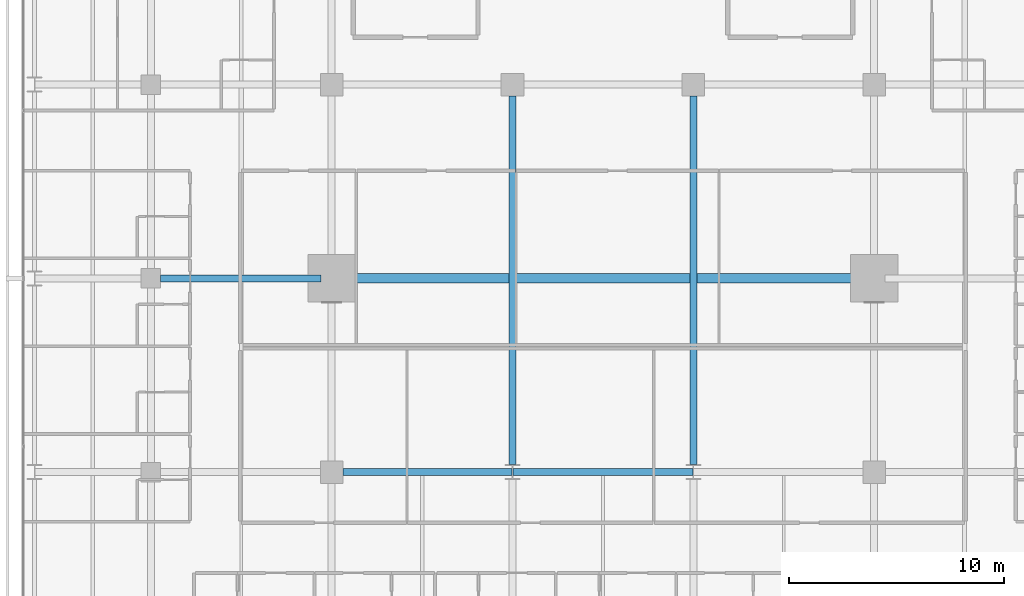
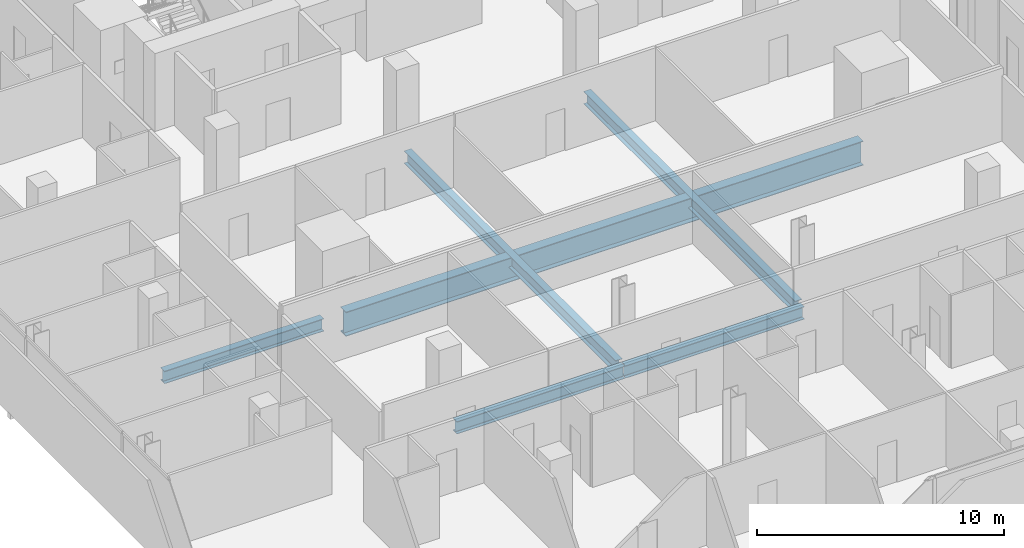
# One storey, part 13 of 40: 6 beams.
"""IFC4 building model written with IfcOpenShell, lengths in metres."""

import ifcopenshell
import ifcopenshell.guid

model = None  # the IFC model being written
_history = None  # IfcOwnerHistory: only IFC2X3 demands one
_inside = {}  # id of a spatial element -> (the spatial element, [elements in it])
_under = {}  # id of a project, library or spatial element -> (it, [spatial elements below it])
_declared = {}  # id of a project -> (the project, [libraries it declares])
_typed = {}  # id of a type object -> (the type object, [elements of that type])
_made_of = {}  # id of a material, layer set ... -> (it, [elements and type objects made of it])


def new_model(schema):
    """Start an empty IFC model of exactly this schema.

    Asked for "IFC4X3", IfcOpenShell would pick the latest addendum, in which some entities
    have other attributes; the version numbers below select the first issue.
    IFC2X3 requires an IfcOwnerHistory on every rooted entity: one is made here for all.
    """
    global model, _history
    if schema == "IFC4X3":
        model = ifcopenshell.file(schema_version=(4, 3, 0, 0))
    else:
        model = ifcopenshell.file(schema=schema)
    _inside.clear()
    _under.clear()
    _declared.clear()
    _typed.clear()
    _made_of.clear()
    _history = None
    if model.schema == "IFC2X3":
        org = make("IfcOrganization", Name="unknown")
        user = make(
            "IfcPersonAndOrganization",
            ThePerson=make("IfcPerson", FamilyName="unknown"),
            TheOrganization=org,
        )
        app = make(
            "IfcApplication",
            ApplicationDeveloper=org,
            Version="unknown",
            ApplicationFullName="unknown",
            ApplicationIdentifier="unknown",
        )
        _history = make(
            "IfcOwnerHistory",
            OwningUser=user,
            OwningApplication=app,
            ChangeAction="ADDED",
            CreationDate=0,
        )
    return model


def make(cls, **values):
    """One entity of the class cls with the attributes given. An attribute that is None is left unset."""
    return model.create_entity(
        cls, **{name: value for name, value in values.items() if value is not None}
    )


def rooted(cls, **values):
    """An entity with a GlobalId (a new one), such as an element, a storey or a relation."""
    return make(cls, GlobalId=ifcopenshell.guid.new(), OwnerHistory=_history, **values)


def si_unit(unit_type, name, prefix=None):
    """IfcSIUnit, for example si_unit("LENGTHUNIT", "METRE", prefix="MILLI")."""
    return make("IfcSIUnit", UnitType=unit_type, Prefix=prefix, Name=name)


def assignment(units):
    """IfcUnitAssignment: the units of a project."""
    return None if units is None else make("IfcUnitAssignment", Units=units)


def point(xyz):
    """IfcCartesianPoint."""
    return None if xyz is None else make("IfcCartesianPoint", Coordinates=xyz)


def direction(xyz):
    """IfcDirection."""
    return None if xyz is None else make("IfcDirection", DirectionRatios=xyz)


def frame(location, z_axis=None, x_axis=None):
    """IfcAxis2Placement3D, a coordinate frame: its origin and axes. An axis left out is left unset."""
    return make(
        "IfcAxis2Placement3D",
        Location=point(location),
        Axis=direction(z_axis),
        RefDirection=direction(x_axis),
    )


def frame_2d(location, x_axis=None):
    """IfcAxis2Placement2D, a coordinate frame in the plane: its origin and x axis."""
    return make(
        "IfcAxis2Placement2D", Location=point(location), RefDirection=direction(x_axis)
    )


def origin():
    """The frame at (0, 0, 0) with its axes left unset."""
    return frame((0.0, 0.0, 0.0))


def origin_2d():
    """The frame at (0, 0) in the plane with its x axis left unset."""
    return frame_2d((0.0, 0.0))


def place(relative_to, where):
    """IfcLocalPlacement: puts the frame where relative to a parent placement (None: the world)."""
    return make(
        "IfcLocalPlacement", PlacementRelTo=relative_to, RelativePlacement=where
    )


def context(
    kind, dimensions, precision=None, world=None, true_north=None, identifier=None
):
    """IfcGeometricRepresentationContext, for example the 3D "Model" context."""
    return make(
        "IfcGeometricRepresentationContext",
        ContextIdentifier=identifier,
        ContextType=kind,
        CoordinateSpaceDimension=dimensions,
        Precision=precision,
        WorldCoordinateSystem=world,
        TrueNorth=true_north,
    )


def subcontext(parent, identifier, kind, view, scale=None):
    """IfcGeometricRepresentationSubContext, for example "Body" below "Model"."""
    return make(
        "IfcGeometricRepresentationSubContext",
        ContextIdentifier=identifier,
        ContextType=kind,
        ParentContext=parent,
        TargetScale=scale,
        TargetView=view,
    )


def project(units=None, contexts=None):
    """IfcProject with its units and contexts."""
    return rooted(
        "IfcProject",
        Name="project",
        RepresentationContexts=contexts,
        UnitsInContext=assignment(units),
    )


def spatial(cls, under=None, at=None, **own):
    """A site, building, storey or space (cls), placed at a placement, below another one or the project."""
    s = rooted(cls, ObjectPlacement=at, **own)
    if under is not None:
        _under.setdefault(under.id(), (under, []))[1].append(s)
    return s


def profile(cls, at=None, kind="AREA", **sizes):
    """A parametric profile (cls). Its sizes go by their IFC names, for example OverallWidth=200.0."""
    return make(cls, ProfileType=kind, Position=at, **sizes)


def i_section(**sizes):
    """IfcIShapeProfileDef."""
    return profile("IfcIShapeProfileDef", **sizes)


def extrude(swept, where, along, depth):
    """IfcExtrudedAreaSolid: the profile swept, set in the frame where, extruded along a direction by depth."""
    return make(
        "IfcExtrudedAreaSolid",
        SweptArea=swept,
        Position=where,
        ExtrudedDirection=direction(along),
        Depth=depth,
    )


def shape(context_of_items, identifier, shape_type, items):
    """IfcShapeRepresentation: the items that make up one representation, for example the "Body"."""
    return make(
        "IfcShapeRepresentation",
        ContextOfItems=context_of_items,
        RepresentationIdentifier=identifier,
        RepresentationType=shape_type,
        Items=items,
    )


def material(Name=None, Category=None):
    """IfcMaterial."""
    return make("IfcMaterial", Name=Name, Category=Category)


def material_profile(
    of_material, cross_section, Name=None, Category=None, Priority=None
):
    """IfcMaterialProfile: a cross section and its material."""
    return make(
        "IfcMaterialProfile",
        Name=Name,
        Material=of_material,
        Profile=cross_section,
        Priority=Priority,
        Category=Category,
    )


def profile_set(profiles, Name=None, composite=None):
    """IfcMaterialProfileSet."""
    return make(
        "IfcMaterialProfileSet",
        Name=Name,
        MaterialProfiles=profiles,
        CompositeProfile=composite,
    )


def made_of(thing, what):
    """Note that an element or type object is made of a material, layer set ...; save() writes the relation."""
    if what is not None:
        _made_of.setdefault(what.id(), (what, []))[1].append(thing)
    return thing


def type_object(cls, material=None, **own):
    """A type object (cls), such as IfcWallType, which elements share."""
    return made_of(rooted(cls, **own), material)


def element(
    cls,
    number,
    at=None,
    inside=None,
    cuts=None,
    type_object=None,
    material=None,
    context=None,
    identifier="Body",
    shape_type=None,
    held_by="IfcProductDefinitionShape",
    body=None,
    shapes=None,
    **own,
):
    """One element of the class cls, such as IfcWall. Its Tag is "e" and its number.

    at: its placement. inside: the storey or other place that contains it. cuts: it is an
    opening in that element (IfcRelVoidsElement). A single representation is given by context,
    identifier, shape_type and body (its items); several are given by shapes. held_by: the class
    of the entity that holds the representations. save() writes the other relations.
    """
    e = rooted(cls, Tag="e%d" % number, ObjectPlacement=at, **own)
    if body is not None:
        shapes = [shape(context, identifier, shape_type, body)]
    if shapes is not None:
        e.Representation = make(held_by, Representations=shapes)
    if inside is not None:
        _inside.setdefault(inside.id(), (inside, []))[1].append(e)
    if cuts is not None:
        rooted(
            "IfcRelVoidsElement", RelatingBuildingElement=cuts, RelatedOpeningElement=e
        )
    if type_object is not None:
        _typed.setdefault(type_object.id(), (type_object, []))[1].append(e)
    return made_of(e, material)


def aggregate(whole, parts):
    """IfcRelAggregates: a whole, such as a stair, and the parts it consists of."""
    return rooted("IfcRelAggregates", RelatingObject=whole, RelatedObjects=parts)


def save(model, path):
    """Write the relations noted so far, then the file.

    IfcRelAggregates (storeys below a building ...), IfcRelContainedInSpatialStructure (elements
    in a storey), IfcRelDefinesByType, IfcRelAssociatesMaterial and IfcRelDeclares: one each for
    every whole, place, type object, material and project.
    """
    for whole, parts in _under.values():
        aggregate(whole, parts)
    for where, things in _inside.values():
        rooted(
            "IfcRelContainedInSpatialStructure",
            RelatedElements=things,
            RelatingStructure=where,
        )
    for kind, things in _typed.values():
        rooted("IfcRelDefinesByType", RelatedObjects=things, RelatingType=kind)
    for what, things in _made_of.values():
        rooted("IfcRelAssociatesMaterial", RelatedObjects=things, RelatingMaterial=what)
    for by, libraries in _declared.values():
        rooted("IfcRelDeclares", RelatingContext=by, RelatedDefinitions=libraries)
    model.write(path)


model = new_model("IFC4")

# Units and contexts
model_context = context("Model", 3, precision=1e-05, world=origin(), true_north=direction((0.0, 1.0)))
body_context = subcontext(model_context, "Body", "Model", "MODEL_VIEW")
ifc_project = project(units=[si_unit("LENGTHUNIT", "METRE"), si_unit("AREAUNIT", "SQUARE_METRE"), si_unit("VOLUMEUNIT", "CUBIC_METRE"), si_unit("PLANEANGLEUNIT", "RADIAN"), si_unit("MASSUNIT", "GRAM", prefix="KILO")], contexts=[model_context])

# Site, building, storey
site_placement = place(None, origin())
site = spatial("IfcSite", under=ifc_project, at=site_placement, CompositionType="ELEMENT")
building_placement = place(site_placement, origin())
building = spatial("IfcBuilding", under=site, at=building_placement, Name="Maruvema Waterfront Hotel and Observation Tower", CompositionType="ELEMENT")
storey_placement = place(building_placement, frame((0.0, 0.0, 57.75)))
storey = spatial("IfcBuildingStorey", under=building, at=storey_placement, Name="L13", CompositionType="ELEMENT", Elevation=57.75)

# Beams
ifc_material_1 = material(Name="Steel ASTM A572 Grade 50", Category="steel")
ifc_material_profile_1 = material_profile(ifc_material_1, i_section(OverallWidth=0.326904296875, OverallDepth=0.6220703125, WebThickness=0.015380859375, FlangeThickness=0.0244140625, FilletRadius=0.01806640625, at=origin_2d()), Name="W610x195.0")
ifc_profile_set_1 = profile_set([ifc_material_profile_1], Name="Steel ASTM A572 Grade 50")
beam_type_1 = type_object("IfcBeamType", Name="Primary Floor Girder W610x195.0", PredefinedType="BEAM", material=ifc_profile_set_1)
beam_1_placement = place(storey_placement, frame((25.72509765625, 18.0, -0.551025390625), z_axis=(1.0, 0.0, 0.0), x_axis=(0.0, 1.0, 0.0)))
element("IfcBeam", 1, at=beam_1_placement, inside=storey, type_object=beam_type_1, Name="L13 Floor Girder EW-15", PredefinedType="BEAM", context=body_context, shape_type="SweptSolid", body=[
    extrude(i_section(OverallWidth=0.326904296875, OverallDepth=0.6220703125, WebThickness=0.015380859375, FlangeThickness=0.0244140625, FilletRadius=0.01806640625, at=origin_2d()), origin(), (0.0, 0.0, 1.0), 7.86083984375),
])
beam_2_placement = place(storey_placement, frame((33.614013671875, 18.0, -0.551025390625), z_axis=(1.0, 0.0, 0.0), x_axis=(0.0, 1.0, 0.0)))
element("IfcBeam", 2, at=beam_2_placement, inside=storey, type_object=beam_type_1, Name="L13 Floor Girder EW-16", PredefinedType="BEAM", context=body_context, shape_type="SweptSolid", body=[
    extrude(i_section(OverallWidth=0.326904296875, OverallDepth=0.6220703125, WebThickness=0.015380859375, FlangeThickness=0.0244140625, FilletRadius=0.01806640625, at=origin_2d()), origin(), (0.0, 0.0, 1.0), 8.3720703125),
])
beam_3_placement = place(storey_placement, frame((17.25, 27.0, -0.551025390625), z_axis=(1.0, 0.0, 0.0), x_axis=(0.0, 1.0, 0.0)))
element("IfcBeam", 3, at=beam_3_placement, inside=storey, type_object=beam_type_1, Name="L13 Floor Girder EW-21", PredefinedType="BEAM", context=body_context, shape_type="SweptSolid", body=[
    extrude(i_section(OverallWidth=0.326904296875, OverallDepth=0.6220703125, WebThickness=0.015380859375, FlangeThickness=0.0244140625, FilletRadius=0.01806640625, at=origin_2d()), origin(), (0.0, 0.0, 1.0), 7.449951171875),
])
for number, where, z_axis, x_axis, name in (
    (4, (33.60009765625, 18.35009765625, -0.551025390625), (0.0, 1.0, 0.0), (-1.0, 0.0, 0.0), "L13 Floor Girder NS-18"),
    (5, (42.0, 18.35009765625, -0.551025390625), (0.0, 1.0, 0.0), (-1.0, 0.0, 0.0), "L13 Floor Girder NS-21"),
):
    element("IfcBeam", number, at=place(storey_placement, frame(where, z_axis=z_axis, x_axis=x_axis)), inside=storey, type_object=beam_type_1, Name=name, PredefinedType="BEAM", context=body_context, shape_type="SweptSolid", body=[
        extrude(i_section(OverallWidth=0.326904296875, OverallDepth=0.6220703125, WebThickness=0.015380859375, FlangeThickness=0.0244140625, FilletRadius=0.01806640625, at=origin_2d()), origin(), (0.0, 0.0, 1.0), 17.125),
    ])
ifc_material_2 = material(Name="Steel ABNT NBR 7007 AR 415 (ASTM A572 Grade 50)", Category="steel")
ifc_material_profile_2 = material_profile(ifc_material_2, i_section(OverallWidth=0.449951171875, OverallDepth=1.199951171875, WebThickness=0.01904296875, FlangeThickness=0.031982421875, at=origin_2d()), Name="VS1200x366")
ifc_profile_set_2 = profile_set([ifc_material_profile_2], Name="Steel ABNT NBR 7007 AR 415 (ASTM A572 Grade 50)")
beam_type_2 = type_object("IfcBeamType", Name="Upper Setback Transfer Girder VS1200x366", PredefinedType="USERDEFINED", material=ifc_profile_set_2)
beam_4_placement = place(storey_placement, frame((25.699951171875, 27.0, -0.840087890625), z_axis=(1.0, 0.0, 0.0), x_axis=(0.0, 1.0, 0.0)))
element("IfcBeam", 6, at=beam_4_placement, inside=storey, type_object=beam_type_2, Name="L13 Floor Girder EW-22", ObjectType="TRANSFER GIRDER", PredefinedType="USERDEFINED", context=body_context, shape_type="SweptSolid", body=[
    extrude(i_section(OverallWidth=0.449951171875, OverallDepth=1.199951171875, WebThickness=0.01904296875, FlangeThickness=0.031982421875, at=origin_2d()), origin(), (0.0, 0.0, 1.0), 24.199951171875),
])

save(model, "model.ifc")
